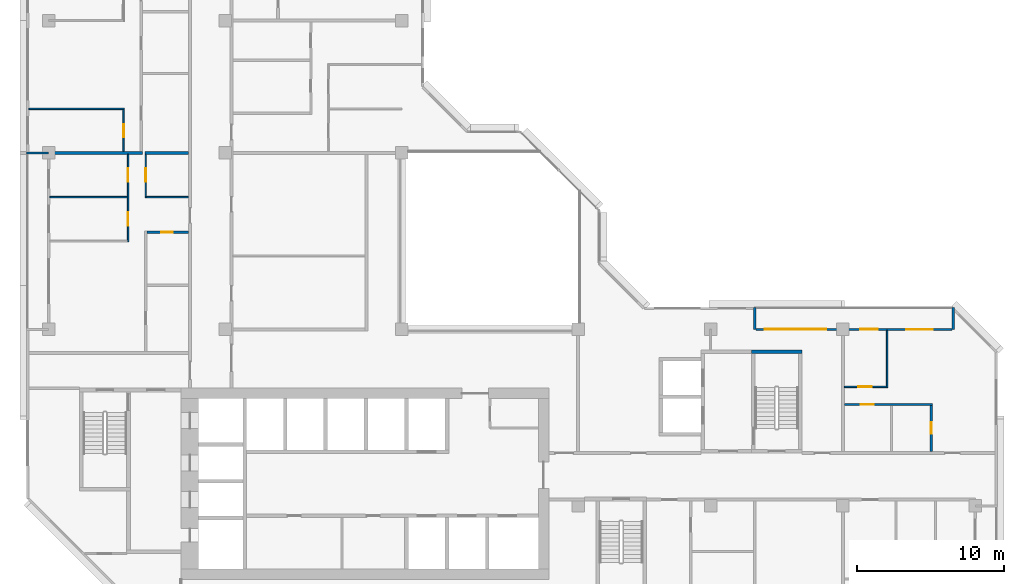
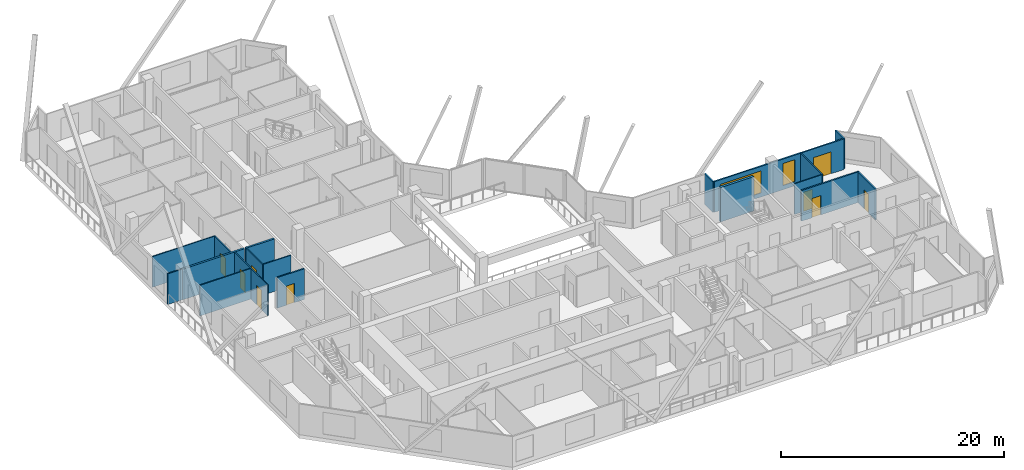
# One storey, part 8 of 14: 18 walls, 9 doors, 2 windows, 11 openings.
"""IFC4 building model written with IfcOpenShell, lengths in metres."""

from ifc_helpers import new_model, si_unit, direction, frame, frame_2d, origin, place, context, subcontext, project, spatial, rectangle, extrude, material, layer, layer_set, type_object, element, fill, save


model = new_model("IFC4")

# Units and contexts
model_context = context("Model", 3, precision=1e-05, world=origin(), true_north=direction((0.0, 1.0)))
body_context = subcontext(model_context, "Body", "Model", "MODEL_VIEW")
ifc_project = project(units=[si_unit("LENGTHUNIT", "METRE"), si_unit("AREAUNIT", "SQUARE_METRE"), si_unit("VOLUMEUNIT", "CUBIC_METRE"), si_unit("PLANEANGLEUNIT", "RADIAN"), si_unit("MASSUNIT", "GRAM", prefix="KILO")], contexts=[model_context])

# Site, building, storey
site_placement = place(None, origin())
site = spatial("IfcSite", under=ifc_project, at=site_placement, CompositionType="ELEMENT")
building_placement = place(site_placement, origin())
building = spatial("IfcBuilding", under=site, at=building_placement, Name="Chenar Terraces", CompositionType="ELEMENT")
storey_placement = place(building_placement, frame((0.0, 0.0, 234.14990234375)))
storey = spatial("IfcBuildingStorey", under=building, at=storey_placement, Name="L55", CompositionType="ELEMENT", Elevation=234.14990234375)

# Wall
ifc_material_1 = material(Name="Concrete C60/75", Category="concrete")
ifc_layer_1 = layer(ifc_material_1, 0.25)
ifc_layer_set_1 = layer_set([ifc_layer_1], Name="Concrete C60/75")
wall_type_1 = type_object("IfcWallType", Name="Core wall 250 Concrete C60/75", PredefinedType="SHEAR", material=ifc_layer_set_1)
wall_1_placement = place(storey_placement, frame((47.77490234375, 22.47509765625, 0.0), z_axis=(0.0, 0.0, 1.0), x_axis=(1.0, 0.0, 0.0)))
element("IfcWall", 1, at=wall_1_placement, inside=storey, type_object=wall_type_1, Name="Core wall ST3_N L55", PredefinedType="SHEAR", context=body_context, shape_type="SweptSolid", body=[
    extrude(rectangle(XDim=3.4501953125, YDim=0.25, at=frame_2d((1.72509765625, 0.0))), origin(), (0.0, 0.0, 1.0), 3.75),
])

# Wall, openings, windows, door
ifc_material_2 = material(Name="Aluminium framed glazing", Category="aluminium")
ifc_layer_2 = layer(ifc_material_2, 0.14990234375)
ifc_layer_set_2 = layer_set([ifc_layer_2], Name="Aluminium framed glazing")
wall_type_2 = type_object("IfcWallType", Name="Glazed loggia back wall 150", PredefinedType="SOLIDWALL", material=ifc_layer_set_2)
wall_2_placement = place(storey_placement, frame((61.425048828125, 24.0, 0.0), z_axis=(0.0, 0.0, 1.0), x_axis=(-1.0, 0.0, 0.0)))
wall_2 = element("IfcWall", 2, at=wall_2_placement, inside=storey, type_object=wall_type_2, Name="Glazed loggia back wall", PredefinedType="SOLIDWALL", context=body_context, shape_type="SweptSolid", body=[
    extrude(rectangle(XDim=13.35009765625, YDim=0.14990234375, at=frame_2d((6.675048828125, 0.0))), origin(), (0.0, 0.0, 1.0), 3.35009765625),
])
opening_1_placement = place(wall_2_placement, frame((1.3125, 0.0, 0.0)))
opening_1 = element("IfcOpeningElement", 3, at=opening_1_placement, cuts=wall_2, Name="Opening DL55-G1", PredefinedType="OPENING", context=body_context, shape_type="SweptSolid", body=[
    extrude(rectangle(XDim=1.800048828125, YDim=2.39990234375, at=frame_2d((0.89990234375, 1.199951171875))), frame((0.0, 0.0849609375, 0.0), z_axis=(0.0, -1.0, 0.0), x_axis=(1.0, 0.0, 0.0)), (0.0, 0.0, 1.0), 0.169921875),
])
opening_2_placement = place(wall_2_placement, frame((5.0625, 0.0, 0.449951171875)))
opening_2 = element("IfcOpeningElement", 4, at=opening_2_placement, cuts=wall_2, Name="Opening W120x240", PredefinedType="OPENING", context=body_context, shape_type="SweptSolid", body=[
    extrude(rectangle(XDim=1.199951171875, YDim=2.39990234375, at=frame_2d((0.60009765625, 1.199951171875))), frame((0.0, 0.0849609375, 0.0), z_axis=(0.0, -1.0, 0.0), x_axis=(1.0, 0.0, 0.0)), (0.0, 0.0, 1.0), 0.169921875),
])
opening_3_placement = place(wall_2_placement, frame((8.550048828125, 0.0, 0.449951171875)))
opening_3 = element("IfcOpeningElement", 5, at=opening_3_placement, cuts=wall_2, Name="Opening W420x240", PredefinedType="OPENING", context=body_context, shape_type="SweptSolid", body=[
    extrude(rectangle(XDim=4.199951171875, YDim=2.39990234375, at=frame_2d((2.10009765625, 1.199951171875))), frame((0.0, 0.0849609375, 0.0), z_axis=(0.0, -1.0, 0.0), x_axis=(1.0, 0.0, 0.0)), (0.0, 0.0, 1.0), 0.169921875),
])
ifc_material_3 = material(Name="Low emissivity double glazing, aluminium frame", Category="aluminium")
window_type_1 = type_object("IfcWindowType", Name="Fixed light 1200 x 2400", PartitioningType="SINGLE_PANEL", PredefinedType="WINDOW", material=ifc_material_3)
window_1_placement = place(opening_2_placement, origin())
window_1 = element("IfcWindow", 6, at=window_1_placement, inside=storey, type_object=window_type_1, Name="Window", OverallHeight=2.39990234375, OverallWidth=1.199951171875, PartitioningType="SINGLE_PANEL", PredefinedType="WINDOW", context=body_context, shape_type="SweptSolid", body=[
    extrude(rectangle(XDim=1.199951171875, YDim=2.39990234375, at=frame_2d((0.60009765625, 1.199951171875))), frame((0.0, 0.030029296875, 0.0), z_axis=(0.0, -1.0, 0.0), x_axis=(1.0, 0.0, 0.0)), (0.0, 0.0, 1.0), 0.06005859375),
])
fill(opening_2, window_1)
ifc_material_4 = material(Name="Low emissivity double glazing, aluminium frame", Category="aluminium")
window_type_2 = type_object("IfcWindowType", Name="Fixed light 4200 x 2400", PartitioningType="SINGLE_PANEL", PredefinedType="WINDOW", material=ifc_material_4)
window_2_placement = place(opening_3_placement, origin())
window_2 = element("IfcWindow", 7, at=window_2_placement, inside=storey, type_object=window_type_2, Name="Window", OverallHeight=2.39990234375, OverallWidth=4.199951171875, PartitioningType="SINGLE_PANEL", PredefinedType="WINDOW", context=body_context, shape_type="SweptSolid", body=[
    extrude(rectangle(XDim=4.199951171875, YDim=2.39990234375, at=frame_2d((2.10009765625, 1.199951171875))), frame((0.0, 0.030029296875, 0.0), z_axis=(0.0, -1.0, 0.0), x_axis=(1.0, 0.0, 0.0)), (0.0, 0.0, 1.0), 0.06005859375),
])
fill(opening_3, window_2)
ifc_material_5 = material(Name="Low emissivity double glazing, aluminium frame", Category="aluminium")
door_type_1 = type_object("IfcDoorType", Name="Loggia glazed double door 1800 x 2400", OperationType="DOUBLE_DOOR_SINGLE_SWING", PredefinedType="DOOR", material=ifc_material_5)
door_1_placement = place(opening_1_placement, frame((1.800048828125, 0.0, 0.0), z_axis=(0.0, 0.0, 1.0), x_axis=(-1.0, 0.0, 0.0)))
door_1 = element("IfcDoor", 8, at=door_1_placement, inside=storey, type_object=door_type_1, Name="Loggia glazed door", OperationType="DOUBLE_DOOR_SINGLE_SWING", OverallHeight=2.39990234375, OverallWidth=1.800048828125, PredefinedType="DOOR", context=body_context, shape_type="SweptSolid", body=[
    extrude(rectangle(XDim=1.800048828125, YDim=2.39990234375, at=frame_2d((0.89990234375, 1.199951171875))), frame((0.0, 0.02490234375, 0.0), z_axis=(0.0, -1.0, 0.0), x_axis=(1.0, 0.0, 0.0)), (0.0, 0.0, 1.0), 0.050048828125),
])
fill(opening_1, door_1)

# Walls
ifc_material_6 = material(Name="Gypsum board on steel studs", Category="steel")
ifc_layer_3 = layer(ifc_material_6, 0.10009765625)
ifc_layer_set_3 = layer_set([ifc_layer_3], Name="Gypsum board on steel studs")
wall_type_3 = type_object("IfcWallType", Name="Gypsum partition 100", PredefinedType="PARTITIONING", material=ifc_layer_set_3)
wall_3_placement = place(storey_placement, frame((-1.35009765625, 39.0, 0.0), z_axis=(0.0, 0.0, 1.0), x_axis=(1.0, 0.0, 0.0)))
element("IfcWall", 9, at=wall_3_placement, inside=storey, type_object=wall_type_3, Name="Partition L55-004", PredefinedType="PARTITIONING", context=body_context, shape_type="SweptSolid", body=[
    extrude(rectangle(XDim=6.5, YDim=0.10009765625, at=frame_2d((3.25, 0.0))), origin(), (0.0, 0.0, 1.0), 3.35009765625),
])
wall_4_placement = place(storey_placement, frame((0.073974609375, 33.0, 0.0), z_axis=(0.0, 0.0, 1.0), x_axis=(1.0, 0.0, 0.0)))
element("IfcWall", 10, at=wall_4_placement, inside=storey, type_object=wall_type_3, Name="Partition L55-008", PredefinedType="PARTITIONING", context=body_context, shape_type="SweptSolid", body=[
    extrude(rectangle(XDim=5.276123046875, YDim=0.10009765625, at=frame_2d((2.63818359375, 0.0))), origin(), (0.0, 0.0, 1.0), 3.35009765625),
])

# Wall, opening, door
wall_5_placement = place(storey_placement, frame((5.10009765625, 36.10009765625, 0.0), z_axis=(0.0, 0.0, 1.0), x_axis=(0.0, 1.0, 0.0)))
wall_5 = element("IfcWall", 11, at=wall_5_placement, inside=storey, type_object=wall_type_3, Name="Partition L55-013", PredefinedType="PARTITIONING", context=body_context, shape_type="SweptSolid", body=[
    extrude(rectangle(XDim=2.849853515625, YDim=0.10009765625, at=frame_2d((1.4248046875, 0.0))), origin(), (0.0, 0.0, 1.0), 3.35009765625),
])
opening_4_placement = place(wall_5_placement, frame((0.949951171875, 0.0, 0.0)))
opening_4 = element("IfcOpeningElement", 12, at=opening_4_placement, cuts=wall_5, Name="Opening DL55-24", PredefinedType="OPENING", context=body_context, shape_type="SweptSolid", body=[
    extrude(rectangle(XDim=0.89990234375, YDim=2.10009765625, at=frame_2d((0.449951171875, 1.050048828125))), frame((0.0, 0.06005859375, 0.0), z_axis=(0.0, -1.0, 0.0), x_axis=(1.0, 0.0, 0.0)), (0.0, 0.0, 1.0), 0.1201171875),
])
ifc_material_7 = material(Name="Veneered timber door leaf", Category="wood")
door_type_2 = type_object("IfcDoorType", Name="Door 900 x 2100", OperationType="SINGLE_SWING_LEFT", PredefinedType="DOOR", material=ifc_material_7)
door_2_placement = place(opening_4_placement, origin())
door_2 = element("IfcDoor", 13, at=door_2_placement, inside=storey, type_object=door_type_2, Name="Door DL55-24", OperationType="SINGLE_SWING_RIGHT", OverallHeight=2.10009765625, OverallWidth=0.89990234375, PredefinedType="DOOR", context=body_context, shape_type="SweptSolid", body=[
    extrude(rectangle(XDim=0.89990234375, YDim=2.10009765625, at=frame_2d((0.449951171875, 1.050048828125))), frame((0.0, 0.02490234375, 0.0), z_axis=(0.0, -1.0, 0.0), x_axis=(1.0, 0.0, 0.0)), (0.0, 0.0, 1.0), 0.050048828125),
])
fill(opening_4, door_2)

# Wall, openings, doors
wall_6_placement = place(storey_placement, frame((5.39990234375, 29.949951171875, 0.0), z_axis=(0.0, 0.0, 1.0), x_axis=(0.0, 1.0, 0.0)))
wall_6 = element("IfcWall", 14, at=wall_6_placement, inside=storey, type_object=wall_type_3, Name="Partition L55-016", PredefinedType="PARTITIONING", context=body_context, shape_type="SweptSolid", body=[
    extrude(rectangle(XDim=5.949951171875, YDim=0.10009765625, at=frame_2d((2.97509765625, 0.0))), origin(), (0.0, 0.0, 1.0), 3.35009765625),
])
opening_5_placement = place(wall_6_placement, frame((1.10009765625, 0.0, 0.0)))
opening_5 = element("IfcOpeningElement", 15, at=opening_5_placement, cuts=wall_6, Name="Opening DL55-59", PredefinedType="OPENING", context=body_context, shape_type="SweptSolid", body=[
    extrude(rectangle(XDim=0.89990234375, YDim=2.10009765625, at=frame_2d((0.449951171875, 1.050048828125))), frame((0.0, 0.06005859375, 0.0), z_axis=(0.0, -1.0, 0.0), x_axis=(1.0, 0.0, 0.0)), (0.0, 0.0, 1.0), 0.1201171875),
])
opening_6_placement = place(wall_6_placement, frame((4.10009765625, 0.0, 0.0)))
opening_6 = element("IfcOpeningElement", 16, at=opening_6_placement, cuts=wall_6, Name="Opening DL55-60", PredefinedType="OPENING", context=body_context, shape_type="SweptSolid", body=[
    extrude(rectangle(XDim=0.89990234375, YDim=2.10009765625, at=frame_2d((0.449951171875, 1.050048828125))), frame((0.0, 0.06005859375, 0.0), z_axis=(0.0, -1.0, 0.0), x_axis=(1.0, 0.0, 0.0)), (0.0, 0.0, 1.0), 0.1201171875),
])
door_3_placement = place(opening_5_placement, origin())
door_3 = element("IfcDoor", 17, at=door_3_placement, inside=storey, type_object=door_type_2, Name="Door DL55-59", OperationType="SINGLE_SWING_LEFT", OverallHeight=2.10009765625, OverallWidth=0.89990234375, PredefinedType="DOOR", context=body_context, shape_type="SweptSolid", body=[
    extrude(rectangle(XDim=0.89990234375, YDim=2.10009765625, at=frame_2d((0.449951171875, 1.050048828125))), frame((0.0, 0.02490234375, 0.0), z_axis=(0.0, -1.0, 0.0), x_axis=(1.0, 0.0, 0.0)), (0.0, 0.0, 1.0), 0.050048828125),
])
fill(opening_5, door_3)
door_4_placement = place(opening_6_placement, origin())
door_4 = element("IfcDoor", 18, at=door_4_placement, inside=storey, type_object=door_type_2, Name="Door DL55-60", OperationType="SINGLE_SWING_RIGHT", OverallHeight=2.10009765625, OverallWidth=0.89990234375, PredefinedType="DOOR", context=body_context, shape_type="SweptSolid", body=[
    extrude(rectangle(XDim=0.89990234375, YDim=2.10009765625, at=frame_2d((0.449951171875, 1.050048828125))), frame((0.0, 0.02490234375, 0.0), z_axis=(0.0, -1.0, 0.0), x_axis=(1.0, 0.0, 0.0)), (0.0, 0.0, 1.0), 0.050048828125),
])
fill(opening_6, door_4)

# Wall, opening, door
wall_7_placement = place(storey_placement, frame((6.60009765625, 32.949951171875, 0.0), z_axis=(0.0, 0.0, 1.0), x_axis=(0.0, 1.0, 0.0)))
wall_7 = element("IfcWall", 19, at=wall_7_placement, inside=storey, type_object=wall_type_3, Name="Partition L55-027", PredefinedType="PARTITIONING", context=body_context, shape_type="SweptSolid", body=[
    extrude(rectangle(XDim=2.949951171875, YDim=0.10009765625, at=frame_2d((1.47509765625, 0.0))), origin(), (0.0, 0.0, 1.0), 3.35009765625),
])
opening_7_placement = place(wall_7_placement, frame((1.10009765625, 0.0, 0.0)))
opening_7 = element("IfcOpeningElement", 20, at=opening_7_placement, cuts=wall_7, Name="Opening DL55-61", PredefinedType="OPENING", context=body_context, shape_type="SweptSolid", body=[
    extrude(rectangle(XDim=0.89990234375, YDim=2.10009765625, at=frame_2d((0.449951171875, 1.050048828125))), frame((0.0, 0.06005859375, 0.0), z_axis=(0.0, -1.0, 0.0), x_axis=(1.0, 0.0, 0.0)), (0.0, 0.0, 1.0), 0.1201171875),
])
door_5_placement = place(opening_7_placement, frame((0.89990234375, 0.0, 0.0), z_axis=(0.0, 0.0, 1.0), x_axis=(-1.0, 0.0, 0.0)))
door_5 = element("IfcDoor", 21, at=door_5_placement, inside=storey, type_object=door_type_2, Name="Door DL55-61", OperationType="SINGLE_SWING_LEFT", OverallHeight=2.10009765625, OverallWidth=0.89990234375, PredefinedType="DOOR", context=body_context, shape_type="SweptSolid", body=[
    extrude(rectangle(XDim=0.89990234375, YDim=2.10009765625, at=frame_2d((0.449951171875, 1.050048828125))), frame((0.0, 0.02490234375, 0.0), z_axis=(0.0, -1.0, 0.0), x_axis=(1.0, 0.0, 0.0)), (0.0, 0.0, 1.0), 0.050048828125),
])
fill(opening_7, door_5)

# Wall
wall_8_placement = place(storey_placement, frame((6.64990234375, 33.0, 0.0), z_axis=(0.0, 0.0, 1.0), x_axis=(1.0, 0.0, 0.0)))
element("IfcWall", 22, at=wall_8_placement, inside=storey, type_object=wall_type_3, Name="Partition L55-028", PredefinedType="PARTITIONING", context=body_context, shape_type="SweptSolid", body=[
    extrude(rectangle(XDim=2.85009765625, YDim=0.10009765625, at=frame_2d((1.425048828125, 0.0))), origin(), (0.0, 0.0, 1.0), 3.35009765625),
])

# Wall, opening, door
wall_9_placement = place(storey_placement, frame((54.10009765625, 20.10009765625, 0.0), z_axis=(0.0, 0.0, 1.0), x_axis=(1.0, 0.0, 0.0)))
wall_9 = element("IfcWall", 23, at=wall_9_placement, inside=storey, type_object=wall_type_3, Name="Partition L55-084", PredefinedType="PARTITIONING", context=body_context, shape_type="SweptSolid", body=[
    extrude(rectangle(XDim=2.849853515625, YDim=0.10009765625, at=frame_2d((1.4248046875, 0.0))), origin(), (0.0, 0.0, 1.0), 3.35009765625),
])
opening_8_placement = place(wall_9_placement, frame((0.949951171875, 0.0, 0.0)))
opening_8 = element("IfcOpeningElement", 24, at=opening_8_placement, cuts=wall_9, Name="Opening DL55-5", PredefinedType="OPENING", context=body_context, shape_type="SweptSolid", body=[
    extrude(rectangle(XDim=0.89990234375, YDim=2.10009765625, at=frame_2d((0.449951171875, 1.050048828125))), frame((0.0, 0.06005859375, 0.0), z_axis=(0.0, -1.0, 0.0), x_axis=(1.0, 0.0, 0.0)), (0.0, 0.0, 1.0), 0.1201171875),
])
door_6_placement = place(opening_8_placement, origin())
door_6 = element("IfcDoor", 25, at=door_6_placement, inside=storey, type_object=door_type_2, Name="Door DL55-5", OperationType="SINGLE_SWING_RIGHT", OverallHeight=2.10009765625, OverallWidth=0.89990234375, PredefinedType="DOOR", context=body_context, shape_type="SweptSolid", body=[
    extrude(rectangle(XDim=0.89990234375, YDim=2.10009765625, at=frame_2d((0.449951171875, 1.050048828125))), frame((0.0, 0.02490234375, 0.0), z_axis=(0.0, -1.0, 0.0), x_axis=(1.0, 0.0, 0.0)), (0.0, 0.0, 1.0), 0.050048828125),
])
fill(opening_8, door_6)

# Walls
wall_10_placement = place(storey_placement, frame((57.0, 20.050048828125, 0.0), z_axis=(0.0, 0.0, 1.0), x_axis=(0.0, 1.0, 0.0)))
element("IfcWall", 26, at=wall_10_placement, inside=storey, type_object=wall_type_3, Name="Partition L55-086", PredefinedType="PARTITIONING", context=body_context, shape_type="SweptSolid", body=[
    extrude(rectangle(XDim=3.8759765625, YDim=0.10009765625, at=frame_2d((1.93798828125, 0.0))), origin(), (0.0, 0.0, 1.0), 3.35009765625),
])
ifc_material_8 = material(Name="Terracotta cladding on insulated backing", Category="masonry")
ifc_layer_4 = layer(ifc_material_8, 0.14990234375)
ifc_layer_set_4 = layer_set([ifc_layer_4], Name="Terracotta cladding on insulated backing")
wall_type_4 = type_object("IfcWallType", Name="Loggia return wall 150", PredefinedType="SOLIDWALL", material=ifc_layer_set_4)
for number, where, z_axis, x_axis, name in (
    (27, (61.5, 25.5, 0.0), (0.0, 0.0, 1.0), (0.0, -1.0, 0.0), "Loggia return wall"),
    (28, (48.0, 25.5, 0.0), (0.0, 0.0, 1.0), (0.0, -1.0, 0.0), "Loggia return wall"),
    (29, (-1.5, 36.0, 0.0), (0.0, 0.0, 1.0), (1.0, 0.0, 0.0), "Loggia return wall"),
):
    element("IfcWall", number, at=place(storey_placement, frame(where, z_axis=z_axis, x_axis=x_axis)), inside=storey, type_object=wall_type_4, Name=name, PredefinedType="SOLIDWALL", context=body_context, shape_type="SweptSolid", body=[
        extrude(rectangle(XDim=1.5, YDim=0.14990234375, at=frame_2d((0.75, 0.0))), origin(), (0.0, 0.0, 1.0), 3.35009765625),
    ])
ifc_material_9 = material(Name="Twin gypsum board on steel studs with mineral wool", Category="steel")
ifc_layer_5 = layer(ifc_material_9, 0.199951171875)
ifc_layer_set_5 = layer_set([ifc_layer_5], Name="Twin gypsum board on steel studs with mineral wool")
wall_type_5 = type_object("IfcWallType", Name="Unit demising wall 200", PredefinedType="PARTITIONING", material=ifc_layer_set_5)
wall_11_placement = place(storey_placement, frame((0.0, 36.0, 0.0), z_axis=(0.0, 0.0, 1.0), x_axis=(1.0, 0.0, 0.0)))
element("IfcWall", 30, at=wall_11_placement, inside=storey, type_object=wall_type_5, Name="Partition L55-003", PredefinedType="PARTITIONING", context=body_context, shape_type="SweptSolid", body=[
    extrude(rectangle(XDim=6.375, YDim=0.199951171875, at=frame_2d((3.1875, 0.0))), origin(), (0.0, 0.0, 1.0), 3.35009765625),
])
wall_12_placement = place(storey_placement, frame((6.550048828125, 36.0, 0.0), z_axis=(0.0, 0.0, 1.0), x_axis=(1.0, 0.0, 0.0)))
element("IfcWall", 31, at=wall_12_placement, inside=storey, type_object=wall_type_5, Name="Partition L55-025", PredefinedType="PARTITIONING", context=body_context, shape_type="SweptSolid", body=[
    extrude(rectangle(XDim=2.949951171875, YDim=0.199951171875, at=frame_2d((1.47509765625, 0.0))), origin(), (0.0, 0.0, 1.0), 3.35009765625),
])

# Wall, opening, door
ifc_material_10 = material(Name="Moisture-resistant gypsum board on steel studs", Category="steel")
ifc_layer_6 = layer(ifc_material_10, 0.14990234375)
ifc_layer_set_6 = layer_set([ifc_layer_6], Name="Moisture-resistant gypsum board on steel studs")
wall_type_6 = type_object("IfcWallType", Name="Wet-room partition 150", PredefinedType="PARTITIONING", material=ifc_layer_set_6)
wall_13_placement = place(storey_placement, frame((6.675048828125, 30.60009765625, 0.0), z_axis=(0.0, 0.0, 1.0), x_axis=(1.0, 0.0, 0.0)))
wall_13 = element("IfcWall", 32, at=wall_13_placement, inside=storey, type_object=wall_type_6, Name="Partition L55-030", PredefinedType="PARTITIONING", context=body_context, shape_type="SweptSolid", body=[
    extrude(rectangle(XDim=2.824951171875, YDim=0.14990234375, at=frame_2d((1.41259765625, 0.0))), origin(), (0.0, 0.0, 1.0), 3.35009765625),
])
opening_9_placement = place(wall_13_placement, frame((0.97509765625, 0.0, 0.0)))
opening_9 = element("IfcOpeningElement", 33, at=opening_9_placement, cuts=wall_13, Name="Opening DL55-58", PredefinedType="OPENING", context=body_context, shape_type="SweptSolid", body=[
    extrude(rectangle(XDim=0.800048828125, YDim=2.10009765625, at=frame_2d((0.39990234375, 1.050048828125))), frame((0.0, 0.0849609375, 0.0), z_axis=(0.0, -1.0, 0.0), x_axis=(1.0, 0.0, 0.0)), (0.0, 0.0, 1.0), 0.169921875),
])
ifc_material_11 = material(Name="Veneered timber door leaf", Category="wood")
door_type_3 = type_object("IfcDoorType", Name="Door 800 x 2100", OperationType="SINGLE_SWING_LEFT", PredefinedType="DOOR", material=ifc_material_11)
door_7_placement = place(opening_9_placement, frame((0.800048828125, 0.0, 0.0), z_axis=(0.0, 0.0, 1.0), x_axis=(-1.0, 0.0, 0.0)))
door_7 = element("IfcDoor", 34, at=door_7_placement, inside=storey, type_object=door_type_3, Name="Door DL55-58", OperationType="SINGLE_SWING_RIGHT", OverallHeight=2.10009765625, OverallWidth=0.800048828125, PredefinedType="DOOR", context=body_context, shape_type="SweptSolid", body=[
    extrude(rectangle(XDim=0.800048828125, YDim=2.10009765625, at=frame_2d((0.39990234375, 1.050048828125))), frame((0.0, 0.02490234375, 0.0), z_axis=(0.0, -1.0, 0.0), x_axis=(1.0, 0.0, 0.0)), (0.0, 0.0, 1.0), 0.050048828125),
])
fill(opening_9, door_7)

wall_14_placement = place(storey_placement, frame((54.10009765625, 18.89990234375, 0.0), z_axis=(0.0, 0.0, 1.0), x_axis=(1.0, 0.0, 0.0)))
wall_14 = element("IfcWall", 35, at=wall_14_placement, inside=storey, type_object=wall_type_6, Name="Partition L55-083", PredefinedType="PARTITIONING", context=body_context, shape_type="SweptSolid", body=[
    extrude(rectangle(XDim=5.974853515625, YDim=0.14990234375, at=frame_2d((2.9873046875, 0.0))), origin(), (0.0, 0.0, 1.0), 3.35009765625),
])
opening_10_placement = place(wall_14_placement, frame((1.10009765625, 0.0, 0.0)))
opening_10 = element("IfcOpeningElement", 36, at=opening_10_placement, cuts=wall_14, Name="Opening DL55-6", PredefinedType="OPENING", context=body_context, shape_type="SweptSolid", body=[
    extrude(rectangle(XDim=0.89990234375, YDim=2.10009765625, at=frame_2d((0.449951171875, 1.050048828125))), frame((0.0, 0.0849609375, 0.0), z_axis=(0.0, -1.0, 0.0), x_axis=(1.0, 0.0, 0.0)), (0.0, 0.0, 1.0), 0.169921875),
])
door_8_placement = place(opening_10_placement, frame((0.89990234375, 0.0, 0.0), z_axis=(0.0, 0.0, 1.0), x_axis=(-1.0, 0.0, 0.0)))
door_8 = element("IfcDoor", 37, at=door_8_placement, inside=storey, type_object=door_type_2, Name="Door DL55-6", OperationType="SINGLE_SWING_RIGHT", OverallHeight=2.10009765625, OverallWidth=0.89990234375, PredefinedType="DOOR", context=body_context, shape_type="SweptSolid", body=[
    extrude(rectangle(XDim=0.89990234375, YDim=2.10009765625, at=frame_2d((0.449951171875, 1.050048828125))), frame((0.0, 0.02490234375, 0.0), z_axis=(0.0, -1.0, 0.0), x_axis=(1.0, 0.0, 0.0)), (0.0, 0.0, 1.0), 0.050048828125),
])
fill(opening_10, door_8)

wall_15_placement = place(storey_placement, frame((60.0, 15.699951171875, 0.0), z_axis=(0.0, 0.0, 1.0), x_axis=(0.0, 1.0, 0.0)))
wall_15 = element("IfcWall", 38, at=wall_15_placement, inside=storey, type_object=wall_type_6, Name="Partition L55-091", PredefinedType="PARTITIONING", context=body_context, shape_type="SweptSolid", body=[
    extrude(rectangle(XDim=3.125, YDim=0.14990234375, at=frame_2d((1.5625, 0.0))), origin(), (0.0, 0.0, 1.0), 3.35009765625),
])
opening_11_placement = place(wall_15_placement, frame((1.199951171875, 0.0, 0.0)))
opening_11 = element("IfcOpeningElement", 39, at=opening_11_placement, cuts=wall_15, Name="Opening DL55-4", PredefinedType="OPENING", context=body_context, shape_type="SweptSolid", body=[
    extrude(rectangle(XDim=0.800048828125, YDim=2.10009765625, at=frame_2d((0.39990234375, 1.050048828125))), frame((0.0, 0.0849609375, 0.0), z_axis=(0.0, -1.0, 0.0), x_axis=(1.0, 0.0, 0.0)), (0.0, 0.0, 1.0), 0.169921875),
])
door_9_placement = place(opening_11_placement, origin())
door_9 = element("IfcDoor", 40, at=door_9_placement, inside=storey, type_object=door_type_3, Name="Door DL55-4", OperationType="SINGLE_SWING_RIGHT", OverallHeight=2.10009765625, OverallWidth=0.800048828125, PredefinedType="DOOR", context=body_context, shape_type="SweptSolid", body=[
    extrude(rectangle(XDim=0.800048828125, YDim=2.10009765625, at=frame_2d((0.39990234375, 1.050048828125))), frame((0.0, 0.02490234375, 0.0), z_axis=(0.0, -1.0, 0.0), x_axis=(1.0, 0.0, 0.0)), (0.0, 0.0, 1.0), 0.050048828125),
])
fill(opening_11, door_9)

save(model, "model.ifc")
